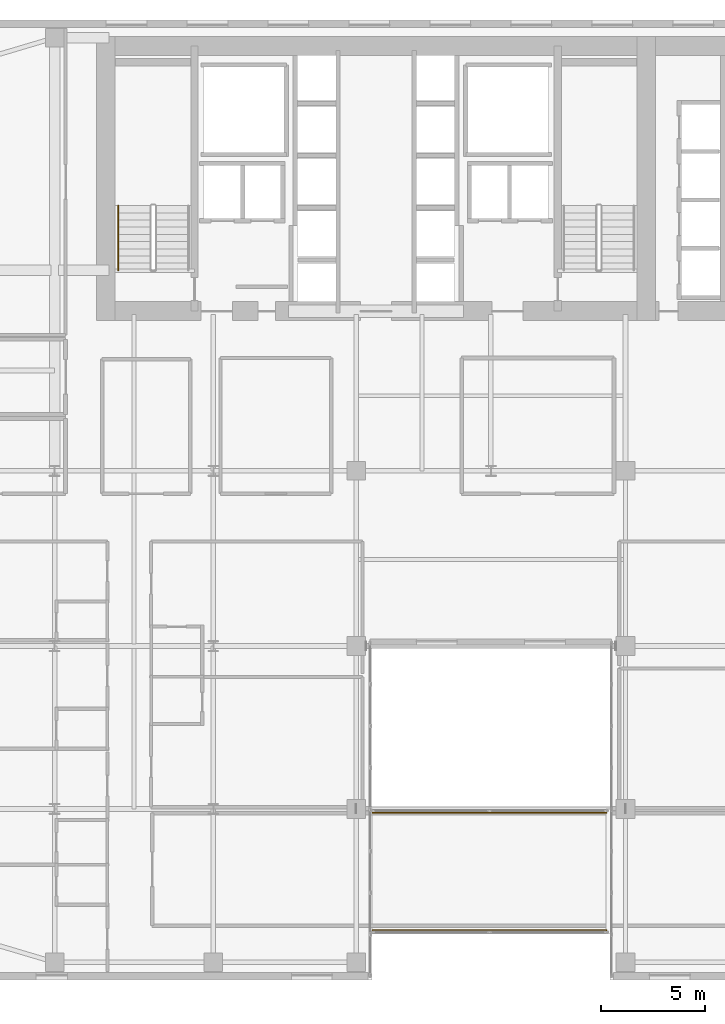
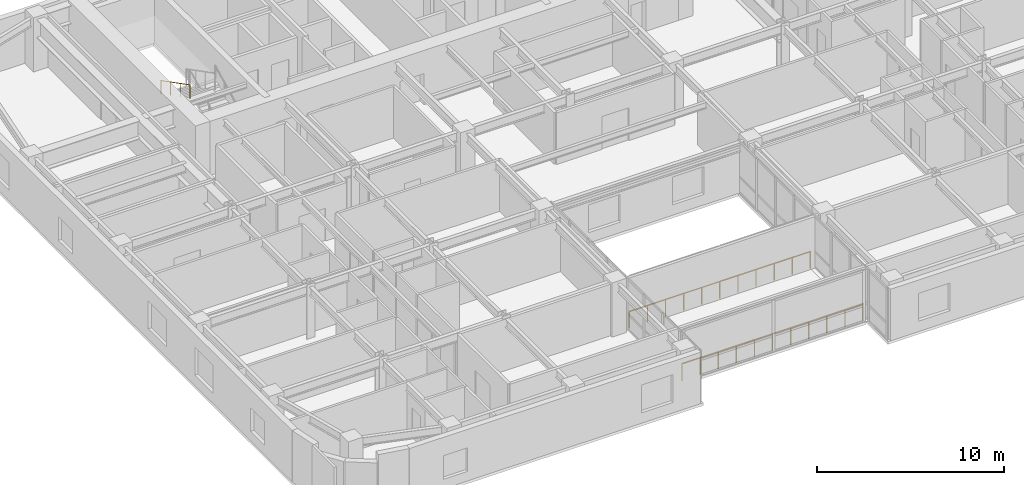
# One storey, part 24 of 25: 3 railings.
"""IFC4 building model written with IfcOpenShell, lengths in metres."""

from ifc_helpers import new_model, si_unit, direction, frame, origin, origin_2d, place, context, subcontext, project, spatial, circle, extrude, material, type_object, element, save


model = new_model("IFC4")

# Units and contexts
model_context = context("Model", 3, precision=1e-05, world=origin(), true_north=direction((0.0, 1.0)))
body_context = subcontext(model_context, "Body", "Model", "MODEL_VIEW")
ifc_project = project(units=[si_unit("LENGTHUNIT", "METRE"), si_unit("AREAUNIT", "SQUARE_METRE"), si_unit("VOLUMEUNIT", "CUBIC_METRE"), si_unit("PLANEANGLEUNIT", "RADIAN"), si_unit("MASSUNIT", "GRAM", prefix="KILO")], contexts=[model_context])

# Site, building, storey
site_placement = place(None, origin())
site = spatial("IfcSite", under=ifc_project, at=site_placement, CompositionType="ELEMENT")
building_placement = place(site_placement, origin())
building = spatial("IfcBuilding", under=site, at=building_placement, Name="Tolvann Quenvar Hotel", CompositionType="ELEMENT")
storey_placement = place(building_placement, frame((0.0, 0.0, 78.14990234375)))
storey = spatial("IfcBuildingStorey", under=building, at=storey_placement, Name="L19", CompositionType="ELEMENT", Elevation=78.14990234375)

# Railings
ifc_material_1 = material(Name="Brushed 316 stainless steel balustrade and handrail", Category="steel")
railing_type_1 = type_object("IfcRailingType", Name="HANDRAIL", PredefinedType="HANDRAIL", material=ifc_material_1)
railing_placement = place(storey_placement, frame((10.64990234375, 37.10498046875, 1.95263671875)))
element("IfcRailing", 1, at=railing_placement, inside=storey, type_object=railing_type_1, Name="L19 ST-C1 stair handrail 2", PredefinedType="HANDRAIL", context=body_context, shape_type="SweptSolid", body=[
    extrude(circle(Radius=0.02392578125, at=origin_2d()), frame((0.0, 0.0, 0.8759765625), z_axis=(0.0, -0.889221982265, 0.45747597342), x_axis=(1.0, 0.0, 0.0)), (0.0, 0.0, 1.0), 3.49169921875),
    extrude(circle(Radius=0.02099609375, at=origin_2d()), origin(), (0.0, 0.0, 1.0), 0.851806640625),
    extrude(circle(Radius=0.02099609375, at=origin_2d()), frame((0.0, -1.034912109375, 0.532470703125)), (0.0, 0.0, 1.0), 0.851806640625),
    extrude(circle(Radius=0.02099609375, at=origin_2d()), frame((0.0, -2.070068359375, 1.06494140625)), (0.0, 0.0, 1.0), 0.851806640625),
    extrude(circle(Radius=0.02099609375, at=origin_2d()), frame((0.0, -3.10498046875, 1.597412109375)), (0.0, 0.0, 1.0), 0.851806640625),
])
ifc_material_2 = material(Name="Brushed 316 marine-grade stainless steel balustrade and laminated safety glass", Category="steel")
railing_type_2 = type_object("IfcRailingType", Name="RAIL_BAL_1100", PredefinedType="BALUSTRADE", material=ifc_material_2)
for number, where, name in (
    (2, (22.840087890625, 2.3798828125, 0.0), "Safety Balustrade BAL-BRG-L19-S"),
    (3, (22.840087890625, 8.02001953125, 0.0), "Safety Balustrade BAL-BRG-L19-N"),
):
    element("IfcRailing", number, at=place(storey_placement, frame(where)), inside=storey, type_object=railing_type_2, Name=name, PredefinedType="BALUSTRADE", context=body_context, shape_type="SweptSolid", body=[
        extrude(circle(Radius=0.02490234375, at=origin_2d()), frame((0.0, 0.0, 1.09521484375), z_axis=(1.0, 0.0, 0.0), x_axis=(0.0, 1.0, 0.0)), (0.0, 0.0, 1.0), 11.199951171875),
        extrude(circle(Radius=0.02197265625, at=origin_2d()), origin(), (0.0, 0.0, 1.0), 1.070068359375),
        extrude(circle(Radius=0.02197265625, at=origin_2d()), frame((1.1201171875, 0.0, 0.0)), (0.0, 0.0, 1.0), 1.070068359375),
        extrude(circle(Radius=0.02197265625, at=origin_2d()), frame((2.239990234375, 0.0, 0.0)), (0.0, 0.0, 1.0), 1.070068359375),
        extrude(circle(Radius=0.02197265625, at=origin_2d()), frame((3.35986328125, 0.0, 0.0)), (0.0, 0.0, 1.0), 1.070068359375),
        extrude(circle(Radius=0.02197265625, at=origin_2d()), frame((4.47998046875, 0.0, 0.0)), (0.0, 0.0, 1.0), 1.070068359375),
        extrude(circle(Radius=0.02197265625, at=origin_2d()), frame((5.60009765625, 0.0, 0.0)), (0.0, 0.0, 1.0), 1.070068359375),
        extrude(circle(Radius=0.02197265625, at=origin_2d()), frame((6.719970703125, 0.0, 0.0)), (0.0, 0.0, 1.0), 1.070068359375),
        extrude(circle(Radius=0.02197265625, at=origin_2d()), frame((7.83984375, 0.0, 0.0)), (0.0, 0.0, 1.0), 1.070068359375),
        extrude(circle(Radius=0.02197265625, at=origin_2d()), frame((8.9599609375, 0.0, 0.0)), (0.0, 0.0, 1.0), 1.070068359375),
        extrude(circle(Radius=0.02197265625, at=origin_2d()), frame((10.080078125, 0.0, 0.0)), (0.0, 0.0, 1.0), 1.070068359375),
        extrude(circle(Radius=0.02197265625, at=origin_2d()), frame((11.199951171875, 0.0, 0.0)), (0.0, 0.0, 1.0), 1.070068359375),
    ])

save(model, "model.ifc")
